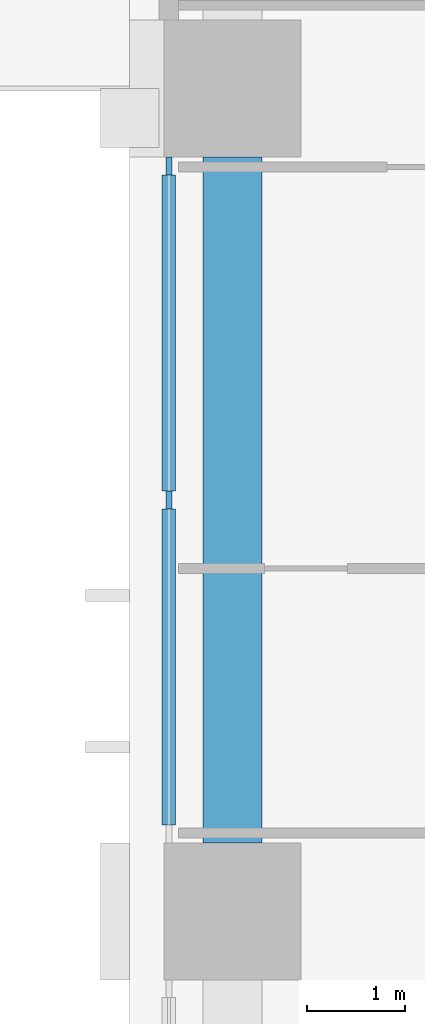
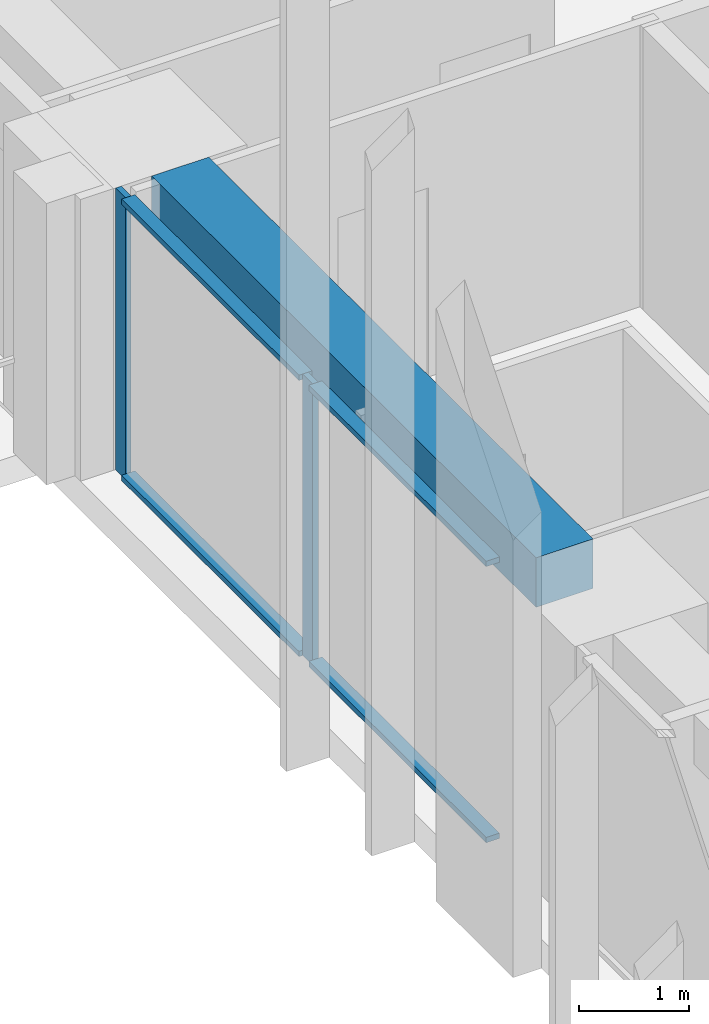
# One storey, part 3 of 17: 6 members, 1 beam, 1 element without a shape of its own.
"""IFC4 building model written with IfcOpenShell, lengths in metres."""

from ifc_helpers import new_model, si_unit, direction, frame, origin, origin_2d, place, context, subcontext, project, spatial, rectangle, extrude, material, material_profile, profile_set, type_object, element, aggregate, save


model = new_model("IFC4")

# Units and contexts
model_context = context("Model", 3, precision=1e-05, world=origin(), true_north=direction((0.0, 1.0)))
body_context = subcontext(model_context, "Body", "Model", "MODEL_VIEW")
ifc_project = project(units=[si_unit("LENGTHUNIT", "METRE"), si_unit("AREAUNIT", "SQUARE_METRE"), si_unit("VOLUMEUNIT", "CUBIC_METRE"), si_unit("PLANEANGLEUNIT", "RADIAN"), si_unit("MASSUNIT", "GRAM", prefix="KILO")], contexts=[model_context])

# Site, building, storey
site_placement = place(None, origin())
site = spatial("IfcSite", under=ifc_project, at=site_placement, CompositionType="ELEMENT")
building_placement = place(site_placement, origin())
building = spatial("IfcBuilding", under=site, at=building_placement, Name="Vermilion Ogive Tower", CompositionType="ELEMENT")
storey_placement = place(building_placement, frame((0.0, 0.0, 37.949951171875)))
storey = spatial("IfcBuildingStorey", under=building, at=storey_placement, Name="L07", CompositionType="ELEMENT", Elevation=37.949951171875)

# Curtain wall, members
ifc_material_1 = material(Name="Low-iron laminated glazing in aluminium frame", Category="aluminium")
curtain_wall_type = type_object("IfcCurtainWallType", Name="Curtain wall CW7", PredefinedType="NOTDEFINED", material=ifc_material_1)
curtain_wall_placement = place(storey_placement, origin())
curtain_wall = element("IfcCurtainWall", 1, at=curtain_wall_placement, inside=storey, type_object=curtain_wall_type, Name="Glazed skin W2", PredefinedType="NOTDEFINED")
ifc_material_2 = material(Name="Aluminium mullion", Category="aluminium")
ifc_material_profile_1 = material_profile(ifc_material_2, rectangle(XDim=0.06005859375, YDim=0.179931640625, at=origin_2d()), Name="AL 60x180")
ifc_profile_set_1 = profile_set([ifc_material_profile_1], Name="Aluminium mullion")
member_type_1 = type_object("IfcMemberType", Name="CW7 mullion 60x180", PredefinedType="MULLION", material=ifc_profile_set_1)
member_1_placement = place(storey_placement, frame((-25.85009765625, 3.409912109375, 0.0), z_axis=(0.0, 0.0, 1.0), x_axis=(1.0, 0.0, 0.0)))
member_1 = element("IfcMember", 2, at=member_1_placement, type_object=member_type_1, Name="CW7-W2 mullion 1", PredefinedType="MULLION", context=body_context, shape_type="SweptSolid", body=[
    extrude(rectangle(XDim=0.06005859375, YDim=0.179931640625, at=origin_2d()), origin(), (0.0, 0.0, 1.0), 3.130126953125),
])
member_2_placement = place(storey_placement, frame((-25.85009765625, 0.0, 0.0), z_axis=(0.0, 0.0, 1.0), x_axis=(1.0, 0.0, 0.0)))
member_2 = element("IfcMember", 3, at=member_2_placement, type_object=member_type_1, Name="CW7-W2 mullion 2", PredefinedType="MULLION", context=body_context, shape_type="SweptSolid", body=[
    extrude(rectangle(XDim=0.06005859375, YDim=0.179931640625, at=origin_2d()), origin(), (0.0, 0.0, 1.0), 3.130126953125),
])
ifc_material_3 = material(Name="Aluminium transom", Category="aluminium")
ifc_material_profile_2 = material_profile(ifc_material_3, rectangle(XDim=0.139892578125, YDim=0.06005859375, at=origin_2d()), Name="AL 60x140")
ifc_profile_set_2 = profile_set([ifc_material_profile_2], Name="Aluminium transom")
member_type_2 = type_object("IfcMemberType", Name="CW7 transom 60x140", PredefinedType="USERDEFINED", material=ifc_profile_set_2)
member_3_placement = place(storey_placement, frame((-25.85009765625, 3.320068359375, 0.030029296875), z_axis=(0.0, -1.0, 0.0), x_axis=(1.0, 0.0, 0.0)))
member_3 = element("IfcMember", 4, at=member_3_placement, type_object=member_type_2, Name="CW7-W2 transom 1.1", ObjectType="TRANSOM", PredefinedType="USERDEFINED", context=body_context, shape_type="SweptSolid", body=[
    extrude(rectangle(XDim=0.139892578125, YDim=0.06005859375, at=origin_2d()), origin(), (0.0, 0.0, 1.0), 3.22998046875),
])
member_4_placement = place(storey_placement, frame((-25.85009765625, 3.320068359375, 3.10009765625), z_axis=(0.0, -1.0, 0.0), x_axis=(1.0, 0.0, 0.0)))
member_4 = element("IfcMember", 5, at=member_4_placement, type_object=member_type_2, Name="CW7-W2 transom 1.2", ObjectType="TRANSOM", PredefinedType="USERDEFINED", context=body_context, shape_type="SweptSolid", body=[
    extrude(rectangle(XDim=0.139892578125, YDim=0.06005859375, at=origin_2d()), origin(), (0.0, 0.0, 1.0), 3.22998046875),
])
member_5_placement = place(storey_placement, frame((-25.85009765625, -0.090087890625, 0.030029296875), z_axis=(0.0, -1.0, 0.0), x_axis=(1.0, 0.0, 0.0)))
member_5 = element("IfcMember", 6, at=member_5_placement, type_object=member_type_2, Name="CW7-W2 transom 2.1", ObjectType="TRANSOM", PredefinedType="USERDEFINED", context=body_context, shape_type="SweptSolid", body=[
    extrude(rectangle(XDim=0.139892578125, YDim=0.06005859375, at=origin_2d()), origin(), (0.0, 0.0, 1.0), 3.22998046875),
])
member_6_placement = place(storey_placement, frame((-25.85009765625, -0.090087890625, 3.10009765625), z_axis=(0.0, -1.0, 0.0), x_axis=(1.0, 0.0, 0.0)))
member_6 = element("IfcMember", 7, at=member_6_placement, type_object=member_type_2, Name="CW7-W2 transom 2.2", ObjectType="TRANSOM", PredefinedType="USERDEFINED", context=body_context, shape_type="SweptSolid", body=[
    extrude(rectangle(XDim=0.139892578125, YDim=0.06005859375, at=origin_2d()), origin(), (0.0, 0.0, 1.0), 3.22998046875),
])
aggregate(curtain_wall, [member_1, member_2, member_3, member_4, member_5, member_6])

# Beam
ifc_material_4 = material(Name="Concrete B45", Category="concrete")
ifc_material_profile_3 = material_profile(ifc_material_4, rectangle(XDim=0.60009765625, YDim=0.550048828125, at=origin_2d()), Name="600 x 550")
ifc_profile_set_3 = profile_set([ifc_material_profile_3], Name="Concrete B45")
beam_type = type_object("IfcBeamType", Name="Edge beam 600 x 550 B45", PredefinedType="BEAM", material=ifc_profile_set_3)
beam_placement = place(storey_placement, frame((-25.199951171875, 3.5, 2.85498046875), z_axis=(0.0, -1.0, 0.0), x_axis=(1.0, 0.0, 0.0)))
element("IfcBeam", 8, at=beam_placement, inside=storey, type_object=beam_type, Name="L07-EB-15", PredefinedType="BEAM", context=body_context, shape_type="SweptSolid", body=[
    extrude(rectangle(XDim=0.60009765625, YDim=0.550048828125, at=origin_2d()), origin(), (0.0, 0.0, 1.0), 7.0),
])

save(model, "model.ifc")
